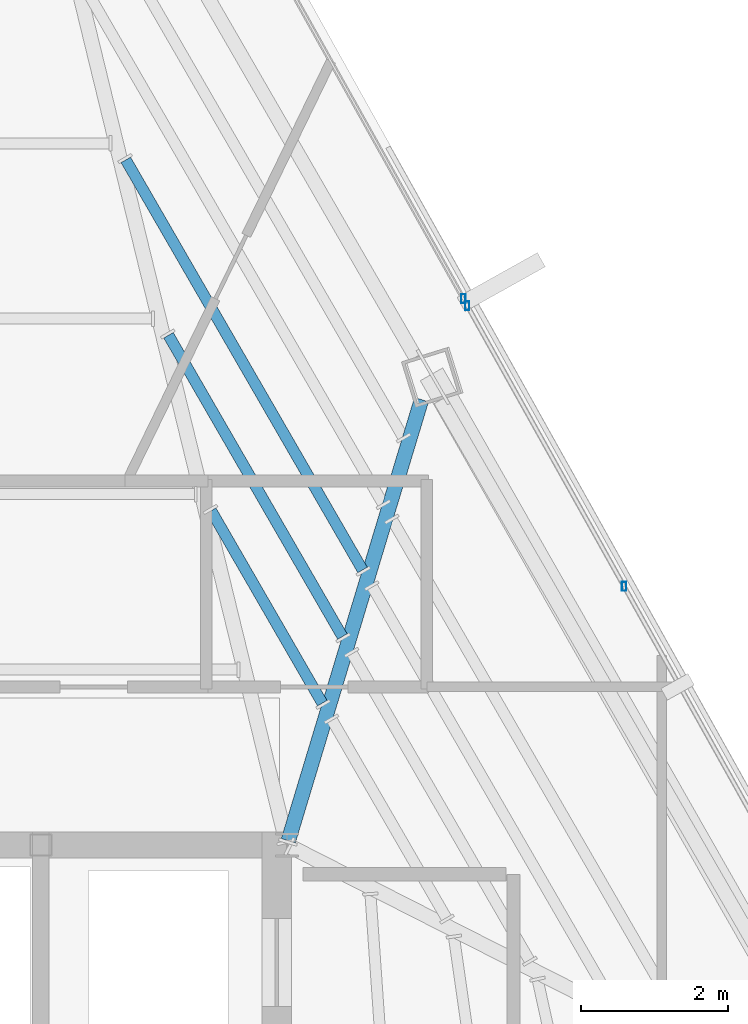
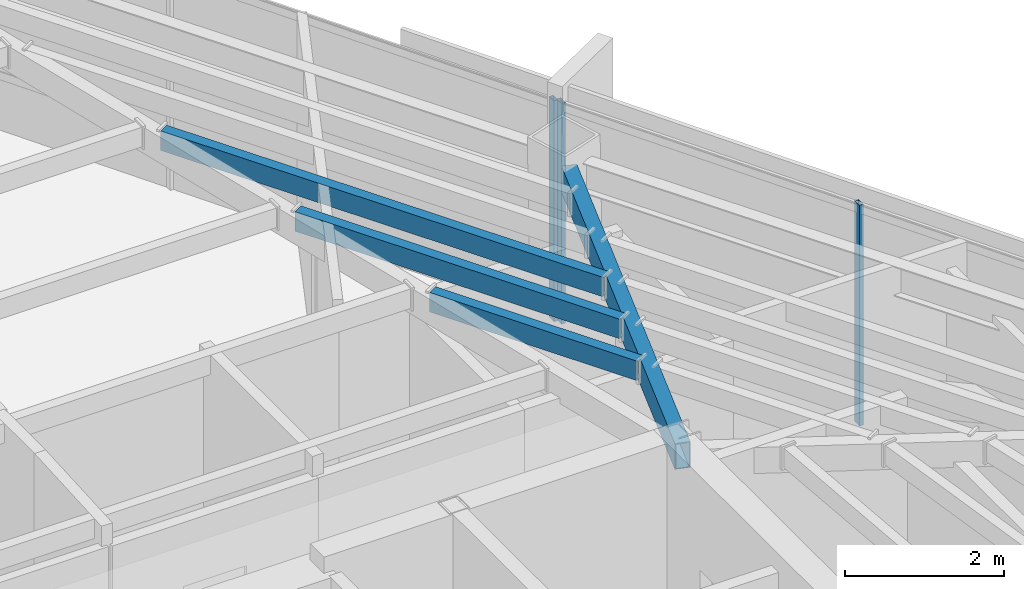
# One storey, part 30 of 48: 4 beams, 3 members, 2 elements without a shape of their own.
"""IFC4 building model written with IfcOpenShell, lengths in metres."""

from ifc_helpers import new_model, si_unit, direction, frame, origin, origin_2d, place, context, subcontext, project, spatial, hollow_rectangle, extrude, source, transform, mapped, material, material_profile, profile_set, type_object, type_shapes, element, aggregate, save


model = new_model("IFC4")

# Units and contexts
model_context = context("Model", 3, precision=1e-05, world=origin(), true_north=direction((0.0, 1.0)))
body_context = subcontext(model_context, "Body", "Model", "MODEL_VIEW")
ifc_project = project(units=[si_unit("LENGTHUNIT", "METRE"), si_unit("AREAUNIT", "SQUARE_METRE"), si_unit("VOLUMEUNIT", "CUBIC_METRE"), si_unit("PLANEANGLEUNIT", "RADIAN"), si_unit("MASSUNIT", "GRAM", prefix="KILO")], contexts=[model_context])

# Site, building, storey
site_placement = place(None, origin())
site = spatial("IfcSite", under=ifc_project, at=site_placement, CompositionType="ELEMENT")
building_placement = place(site_placement, origin())
building = spatial("IfcBuilding", under=site, at=building_placement, Name="Caelisora Broadcast Tower", CompositionType="ELEMENT")
storey_placement = place(building_placement, frame((0.0, 0.0, 270.0)))
storey = spatial("IfcBuildingStorey", under=building, at=storey_placement, Name="L71", CompositionType="ELEMENT", Elevation=270.0)

# Beams
ifc_material_1 = material(Name="Steel Grade 350 (AS/NZS 1163 C350L0)", Category="steel")
ifc_material_profile_1 = material_profile(ifc_material_1, hollow_rectangle(XDim=0.199951171875, YDim=0.39990234375, WallThickness=0.012451171875, at=origin_2d()), Name="Steel Grade 350 (AS/NZS 1163 C350L0)")
ifc_profile_set_1 = profile_set([ifc_material_profile_1], Name="Steel Grade 350 (AS/NZS 1163 C350L0)")
beam_type_1 = type_object("IfcBeamType", Name="PG07", PredefinedType="BEAM", material=ifc_profile_set_1)
shared_shape_1 = source(origin(), body_context, "Body", "SweptSolid", [
    extrude(hollow_rectangle(XDim=0.199951171875, YDim=0.39990234375, WallThickness=0.012451171875, at=origin_2d()), origin(), (0.0, 0.0, 1.0), 6.26904296875),
])
type_shapes(beam_type_1, [shared_shape_1])
beam_1_placement = place(storey_placement, frame((45.517333984375, 30.057373046875, 3.199951171875), z_axis=(0.289123112795, 0.957291922899, 0.0), x_axis=(-0.957291922899, 0.289123112795, 0.0)))
element("IfcBeam", 1, at=beam_1_placement, inside=storey, type_object=beam_type_1, Name="L71 beam PG07", PredefinedType="BEAM", context=body_context, shape_type="MappedRepresentation", body=[
    mapped(shared_shape_1, transform((0.0, 0.0, 0.0), scale=1.0)),
])
ifc_material_profile_2 = material_profile(ifc_material_1, hollow_rectangle(XDim=0.14990234375, YDim=0.300048828125, WallThickness=0.010009765625, at=origin_2d()), Name="Steel Grade 350 (AS/NZS 1163 C350L0)")
ifc_profile_set_2 = profile_set([ifc_material_profile_2], Name="Steel Grade 350 (AS/NZS 1163 C350L0)")
beam_type_2 = type_object("IfcBeamType", Name="SB05", PredefinedType="JOIST", material=ifc_profile_set_2)
shared_shape_2 = source(origin(), body_context, "Body", "SweptSolid", [
    extrude(hollow_rectangle(XDim=0.14990234375, YDim=0.300048828125, WallThickness=0.010009765625, at=origin_2d()), origin(), (0.0, 0.0, 1.0), 3.02392578125),
])
beam_2_placement = place(storey_placement, frame((45.980224609375, 31.9287109375, 3.25), z_axis=(-0.499925134246, 0.866068623233, 0.0), x_axis=(-0.866068623233, -0.499925134246, 0.0)))
element("IfcBeam", 2, at=beam_2_placement, inside=storey, type_object=beam_type_2, Name="L71 beam SB05", PredefinedType="JOIST", context=body_context, shape_type="MappedRepresentation", body=[
    mapped(shared_shape_2, transform((0.0, 0.0, 0.0), scale=1.0)),
])
shared_shape_3 = source(origin(), body_context, "Body", "SweptSolid", [
    extrude(hollow_rectangle(XDim=0.14990234375, YDim=0.300048828125, WallThickness=0.010009765625, at=origin_2d()), origin(), (0.0, 0.0, 1.0), 4.73291015625),
])
beam_3_placement = place(storey_placement, frame((46.25390625, 32.8349609375, 3.25), z_axis=(-0.49999482868, 0.866028389427, 0.0), x_axis=(-0.866028389427, -0.49999482868, 0.0)))
element("IfcBeam", 3, at=beam_3_placement, inside=storey, type_object=beam_type_2, Name="L71 beam SB05", PredefinedType="JOIST", context=body_context, shape_type="MappedRepresentation", body=[
    mapped(shared_shape_3, transform((0.0, 0.0, 0.0), scale=1.0)),
])
shared_shape_4 = source(origin(), body_context, "Body", "SweptSolid", [
    extrude(hollow_rectangle(XDim=0.14990234375, YDim=0.300048828125, WallThickness=0.010009765625, at=origin_2d()), origin(), (0.0, 0.0, 1.0), 6.442138671875),
])
type_shapes(beam_type_2, [shared_shape_2, shared_shape_3, shared_shape_4])
beam_4_placement = place(storey_placement, frame((46.52783203125, 33.7412109375, 3.25), z_axis=(-0.500011131643, 0.866018976832, 0.0), x_axis=(-0.866018976832, -0.500011131643, 0.0)))
element("IfcBeam", 4, at=beam_4_placement, inside=storey, type_object=beam_type_2, Name="L71 beam SB05", PredefinedType="JOIST", context=body_context, shape_type="MappedRepresentation", body=[
    mapped(shared_shape_4, transform((0.0, 0.0, 0.0), scale=1.0)),
])

# Curtain wall, member
ifc_material_2 = material(Name="Unitised Aluminium and Low-E Glass Curtain Wall", Category="glass")
curtain_wall_type_1 = type_object("IfcCurtainWallType", Name="CW-Z5", PredefinedType="NOTDEFINED", material=ifc_material_2)
curtain_wall_1_placement = place(storey_placement, origin())
curtain_wall_1 = element("IfcCurtainWall", 5, at=curtain_wall_1_placement, inside=storey, type_object=curtain_wall_type_1, Name="L71 curtain wall CW-Z5", PredefinedType="NOTDEFINED")
ifc_material_3 = material(Name="Aluminium 6063-T6 Anodised Terracotta Bronze", Category="aluminium")
ifc_material_profile_3 = material_profile(ifc_material_3, hollow_rectangle(XDim=0.06005859375, YDim=0.1201171875, WallThickness=0.0029296875, at=origin_2d()), Name="Aluminium 6063-T6 Anodised Terracotta Bronze")
ifc_profile_set_3 = profile_set([ifc_material_profile_3], Name="Aluminium 6063-T6 Anodised Terracotta Bronze")
member_type = type_object("IfcMemberType", Name="CWM-04", PredefinedType="MULLION", material=ifc_profile_set_3)
shared_shape_5 = source(origin(), body_context, "Body", "SweptSolid", [
    extrude(hollow_rectangle(XDim=0.06005859375, YDim=0.1201171875, WallThickness=0.0029296875, at=origin_2d()), origin(), (0.0, 0.0, 1.0), 3.39990234375),
])
type_shapes(member_type, [shared_shape_5])
member_1_placement = place(storey_placement, frame((47.8984375, 37.431884765625, 0.0), z_axis=(0.0, 0.0, 1.0), x_axis=(1.0, 0.0, 0.0)))
member_1 = element("IfcMember", 6, at=member_1_placement, type_object=member_type, Name="L71-CW-B01 mullion #3", PredefinedType="MULLION", context=body_context, shape_type="MappedRepresentation", body=[
    mapped(shared_shape_5, transform((0.0, 0.0, 0.0), scale=1.0)),
])
aggregate(curtain_wall_1, [member_1])

# Curtain wall, members
ifc_material_4 = material(Name="Unitised Aluminium Insulated Shadow-Box Spandrel Curtain Wall", Category="aluminium")
curtain_wall_type_2 = type_object("IfcCurtainWallType", Name="CW-SP3", PredefinedType="NOTDEFINED", material=ifc_material_4)
curtain_wall_2_placement = place(storey_placement, origin())
curtain_wall_2 = element("IfcCurtainWall", 7, at=curtain_wall_2_placement, inside=storey, type_object=curtain_wall_type_2, Name="L71 curtain wall CW-SP3", PredefinedType="NOTDEFINED")
member_2_placement = place(storey_placement, frame((47.9521484375, 37.3359375, 0.0), z_axis=(0.0, 0.0, 1.0), x_axis=(1.0, 0.0, 0.0)))
member_2 = element("IfcMember", 8, at=member_2_placement, type_object=member_type, Name="L71-CW-B02 mullion #0", PredefinedType="MULLION", context=body_context, shape_type="MappedRepresentation", body=[
    mapped(shared_shape_5, transform((0.0, 0.0, 0.0), scale=1.0)),
])
member_3_placement = place(storey_placement, frame((50.085205078125, 33.51806640625, 0.0), z_axis=(0.0, 0.0, 1.0), x_axis=(1.0, 0.0, 0.0)))
member_3 = element("IfcMember", 9, at=member_3_placement, type_object=member_type, Name="L71-CW-B02 mullion #1", PredefinedType="MULLION", context=body_context, shape_type="MappedRepresentation", body=[
    mapped(shared_shape_5, transform((0.0, 0.0, 0.0), scale=1.0)),
])
aggregate(curtain_wall_2, [member_2, member_3])

save(model, "model.ifc")
